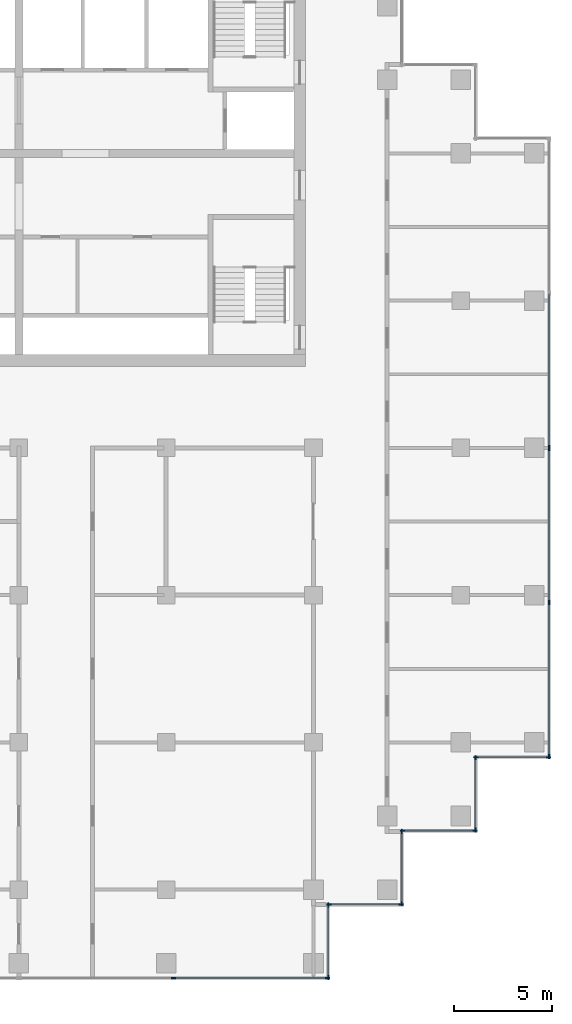
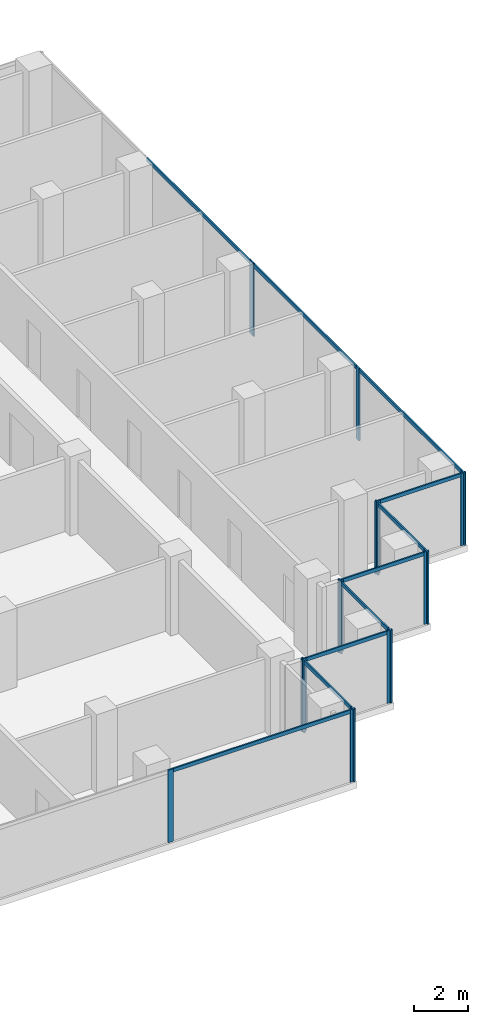
# One storey, part 4 of 12: 28 members, 9 elements without a shape of their own.
"""IFC4 building model written with IfcOpenShell, lengths in metres."""

from ifc_helpers import new_model, si_unit, direction, frame, origin, origin_2d, place, context, subcontext, project, spatial, rectangle, extrude, material, material_profile, profile_set, type_object, element, aggregate, save


model = new_model("IFC4")

# Units and contexts
model_context = context("Model", 3, precision=1e-05, world=origin(), true_north=direction((0.0, 1.0)))
body_context = subcontext(model_context, "Body", "Model", "MODEL_VIEW")
ifc_project = project(units=[si_unit("LENGTHUNIT", "METRE"), si_unit("AREAUNIT", "SQUARE_METRE"), si_unit("VOLUMEUNIT", "CUBIC_METRE"), si_unit("PLANEANGLEUNIT", "RADIAN"), si_unit("MASSUNIT", "GRAM", prefix="KILO")], contexts=[model_context])

# Site, building, storey
site_placement = place(None, origin())
site = spatial("IfcSite", under=ifc_project, at=site_placement, CompositionType="ELEMENT")
building_placement = place(site_placement, origin())
building = spatial("IfcBuilding", under=site, at=building_placement, Name="Pilkhan Gate Tower", CompositionType="ELEMENT")
storey_placement = place(building_placement, frame((0.0, 0.0, 188.699951171875)))
storey = spatial("IfcBuildingStorey", under=building, at=storey_placement, Name="L48", CompositionType="ELEMENT", Elevation=188.699951171875)

# Curtain wall, members
ifc_material_1 = material(Name="Pale anodised aluminium, clear low-iron double glazing", Category="aluminium")
curtain_wall_type = type_object("IfcCurtainWallType", Name="Office unitised curtain wall CW-O2", PredefinedType="USERDEFINED", material=ifc_material_1)
curtain_wall_1_placement = place(storey_placement, origin())
curtain_wall_1 = element("IfcCurtainWall", 1, at=curtain_wall_1_placement, inside=storey, type_object=curtain_wall_type, Name="Office unitised curtain wall CW-O2 L48 E", ObjectType="UNITISED CURTAIN WALL", PredefinedType="USERDEFINED")
ifc_material_2 = material(Name="Pale anodised aluminium", Category="aluminium")
ifc_material_profile_1 = material_profile(ifc_material_2, rectangle(XDim=0.06494140625, YDim=0.22509765625, at=origin_2d()), Name="Mullion 225x65")
ifc_profile_set_1 = profile_set([ifc_material_profile_1], Name="Pale anodised aluminium")
member_type_1 = type_object("IfcMemberType", Name="Mullion CW-O2 225x65", PredefinedType="MULLION", material=ifc_profile_set_1)
member_1_placement = place(storey_placement, frame((102.0, 51.782470703125, 0.0), z_axis=(0.0, 0.0, 1.0), x_axis=(-1.0, 0.0, 0.0)))
member_1 = element("IfcMember", 2, at=member_1_placement, type_object=member_type_1, Name="CW-O2 mullion 1", PredefinedType="MULLION", context=body_context, shape_type="SweptSolid", body=[
    extrude(rectangle(XDim=0.06494140625, YDim=0.22509765625, at=origin_2d()), origin(), (0.0, 0.0, 1.0), 3.300048828125),
])
member_2_placement = place(storey_placement, frame((102.0, 59.625, 0.0), z_axis=(0.0, 0.0, 1.0), x_axis=(-1.0, 0.0, 0.0)))
member_2 = element("IfcMember", 3, at=member_2_placement, type_object=member_type_1, Name="CW-O2 mullion 2", PredefinedType="MULLION", context=body_context, shape_type="SweptSolid", body=[
    extrude(rectangle(XDim=0.06494140625, YDim=0.22509765625, at=origin_2d()), origin(), (0.0, 0.0, 1.0), 3.300048828125),
])
member_3_placement = place(storey_placement, frame((102.0, 67.467529296875, 0.0), z_axis=(0.0, 0.0, 1.0), x_axis=(-1.0, 0.0, 0.0)))
member_3 = element("IfcMember", 4, at=member_3_placement, type_object=member_type_1, Name="CW-O2 mullion 3", PredefinedType="MULLION", context=body_context, shape_type="SweptSolid", body=[
    extrude(rectangle(XDim=0.06494140625, YDim=0.22509765625, at=origin_2d()), origin(), (0.0, 0.0, 1.0), 3.300048828125),
])

# Curtain wall, member
curtain_wall_2_placement = place(storey_placement, origin())
curtain_wall_2 = element("IfcCurtainWall", 5, at=curtain_wall_2_placement, inside=storey, type_object=curtain_wall_type, Name="Office unitised curtain wall CW-O2 L48 E", ObjectType="UNITISED CURTAIN WALL", PredefinedType="USERDEFINED")
member_4_placement = place(storey_placement, frame((102.0, 67.532470703125, 0.0), z_axis=(0.0, 0.0, 1.0), x_axis=(-1.0, 0.0, 0.0)))
member_4 = element("IfcMember", 6, at=member_4_placement, type_object=member_type_1, Name="CW-O2 mullion 1", PredefinedType="MULLION", context=body_context, shape_type="SweptSolid", body=[
    extrude(rectangle(XDim=0.06494140625, YDim=0.22509765625, at=origin_2d()), origin(), (0.0, 0.0, 1.0), 3.300048828125),
])

# Curtain wall, members
curtain_wall_3_placement = place(storey_placement, origin())
curtain_wall_3 = element("IfcCurtainWall", 7, at=curtain_wall_3_placement, inside=storey, type_object=curtain_wall_type, Name="Office unitised curtain wall CW-O2 L48 S", ObjectType="UNITISED CURTAIN WALL", PredefinedType="USERDEFINED")
member_5_placement = place(storey_placement, frame((82.875, 40.5, 0.0), z_axis=(0.0, 0.0, 1.0), x_axis=(0.0, 1.0, 0.0)))
member_5 = element("IfcMember", 8, at=member_5_placement, type_object=member_type_1, Name="CW-O2 mullion 2", PredefinedType="MULLION", context=body_context, shape_type="SweptSolid", body=[
    extrude(rectangle(XDim=0.06494140625, YDim=0.22509765625, at=origin_2d()), origin(), (0.0, 0.0, 1.0), 3.300048828125),
])
member_6_placement = place(storey_placement, frame((90.717529296875, 40.5, 0.0), z_axis=(0.0, 0.0, 1.0), x_axis=(0.0, 1.0, 0.0)))
member_6 = element("IfcMember", 9, at=member_6_placement, type_object=member_type_1, Name="CW-O2 mullion 3", PredefinedType="MULLION", context=body_context, shape_type="SweptSolid", body=[
    extrude(rectangle(XDim=0.06494140625, YDim=0.22509765625, at=origin_2d()), origin(), (0.0, 0.0, 1.0), 3.300048828125),
])

curtain_wall_4_placement = place(storey_placement, origin())
curtain_wall_4 = element("IfcCurtainWall", 10, at=curtain_wall_4_placement, inside=storey, type_object=curtain_wall_type, Name="Office unitised curtain wall CW-O2 L48 E", ObjectType="UNITISED CURTAIN WALL", PredefinedType="USERDEFINED")
member_7_placement = place(storey_placement, frame((90.75, 40.532470703125, 0.0), z_axis=(0.0, 0.0, 1.0), x_axis=(-1.0, 0.0, 0.0)))
member_7 = element("IfcMember", 11, at=member_7_placement, type_object=member_type_1, Name="CW-O2 mullion 1", PredefinedType="MULLION", context=body_context, shape_type="SweptSolid", body=[
    extrude(rectangle(XDim=0.06494140625, YDim=0.22509765625, at=origin_2d()), origin(), (0.0, 0.0, 1.0), 3.300048828125),
])
member_8_placement = place(storey_placement, frame((90.75, 44.217529296875, 0.0), z_axis=(0.0, 0.0, 1.0), x_axis=(-1.0, 0.0, 0.0)))
member_8 = element("IfcMember", 12, at=member_8_placement, type_object=member_type_1, Name="CW-O2 mullion 2", PredefinedType="MULLION", context=body_context, shape_type="SweptSolid", body=[
    extrude(rectangle(XDim=0.06494140625, YDim=0.22509765625, at=origin_2d()), origin(), (0.0, 0.0, 1.0), 3.300048828125),
])

curtain_wall_5_placement = place(storey_placement, origin())
curtain_wall_5 = element("IfcCurtainWall", 13, at=curtain_wall_5_placement, inside=storey, type_object=curtain_wall_type, Name="Office unitised curtain wall CW-O2 L48 S", ObjectType="UNITISED CURTAIN WALL", PredefinedType="USERDEFINED")
member_9_placement = place(storey_placement, frame((90.782470703125, 44.25, 0.0), z_axis=(0.0, 0.0, 1.0), x_axis=(0.0, 1.0, 0.0)))
member_9 = element("IfcMember", 14, at=member_9_placement, type_object=member_type_1, Name="CW-O2 mullion 1", PredefinedType="MULLION", context=body_context, shape_type="SweptSolid", body=[
    extrude(rectangle(XDim=0.06494140625, YDim=0.22509765625, at=origin_2d()), origin(), (0.0, 0.0, 1.0), 3.300048828125),
])
member_10_placement = place(storey_placement, frame((94.467529296875, 44.25, 0.0), z_axis=(0.0, 0.0, 1.0), x_axis=(0.0, 1.0, 0.0)))
member_10 = element("IfcMember", 15, at=member_10_placement, type_object=member_type_1, Name="CW-O2 mullion 2", PredefinedType="MULLION", context=body_context, shape_type="SweptSolid", body=[
    extrude(rectangle(XDim=0.06494140625, YDim=0.22509765625, at=origin_2d()), origin(), (0.0, 0.0, 1.0), 3.300048828125),
])

curtain_wall_6_placement = place(storey_placement, origin())
curtain_wall_6 = element("IfcCurtainWall", 16, at=curtain_wall_6_placement, inside=storey, type_object=curtain_wall_type, Name="Office unitised curtain wall CW-O2 L48 E", ObjectType="UNITISED CURTAIN WALL", PredefinedType="USERDEFINED")
member_11_placement = place(storey_placement, frame((94.5, 44.282470703125, 0.0), z_axis=(0.0, 0.0, 1.0), x_axis=(-1.0, 0.0, 0.0)))
member_11 = element("IfcMember", 17, at=member_11_placement, type_object=member_type_1, Name="CW-O2 mullion 1", PredefinedType="MULLION", context=body_context, shape_type="SweptSolid", body=[
    extrude(rectangle(XDim=0.06494140625, YDim=0.22509765625, at=origin_2d()), origin(), (0.0, 0.0, 1.0), 3.300048828125),
])
member_12_placement = place(storey_placement, frame((94.5, 47.967529296875, 0.0), z_axis=(0.0, 0.0, 1.0), x_axis=(-1.0, 0.0, 0.0)))
member_12 = element("IfcMember", 18, at=member_12_placement, type_object=member_type_1, Name="CW-O2 mullion 2", PredefinedType="MULLION", context=body_context, shape_type="SweptSolid", body=[
    extrude(rectangle(XDim=0.06494140625, YDim=0.22509765625, at=origin_2d()), origin(), (0.0, 0.0, 1.0), 3.300048828125),
])

curtain_wall_7_placement = place(storey_placement, origin())
curtain_wall_7 = element("IfcCurtainWall", 19, at=curtain_wall_7_placement, inside=storey, type_object=curtain_wall_type, Name="Office unitised curtain wall CW-O2 L48 S", ObjectType="UNITISED CURTAIN WALL", PredefinedType="USERDEFINED")
member_13_placement = place(storey_placement, frame((94.532470703125, 48.0, 0.0), z_axis=(0.0, 0.0, 1.0), x_axis=(0.0, 1.0, 0.0)))
member_13 = element("IfcMember", 20, at=member_13_placement, type_object=member_type_1, Name="CW-O2 mullion 1", PredefinedType="MULLION", context=body_context, shape_type="SweptSolid", body=[
    extrude(rectangle(XDim=0.06494140625, YDim=0.22509765625, at=origin_2d()), origin(), (0.0, 0.0, 1.0), 3.300048828125),
])
member_14_placement = place(storey_placement, frame((98.217529296875, 48.0, 0.0), z_axis=(0.0, 0.0, 1.0), x_axis=(0.0, 1.0, 0.0)))
member_14 = element("IfcMember", 21, at=member_14_placement, type_object=member_type_1, Name="CW-O2 mullion 2", PredefinedType="MULLION", context=body_context, shape_type="SweptSolid", body=[
    extrude(rectangle(XDim=0.06494140625, YDim=0.22509765625, at=origin_2d()), origin(), (0.0, 0.0, 1.0), 3.300048828125),
])

curtain_wall_8_placement = place(storey_placement, origin())
curtain_wall_8 = element("IfcCurtainWall", 22, at=curtain_wall_8_placement, inside=storey, type_object=curtain_wall_type, Name="Office unitised curtain wall CW-O2 L48 E", ObjectType="UNITISED CURTAIN WALL", PredefinedType="USERDEFINED")
member_15_placement = place(storey_placement, frame((98.25, 48.032470703125, 0.0), z_axis=(0.0, 0.0, 1.0), x_axis=(-1.0, 0.0, 0.0)))
member_15 = element("IfcMember", 23, at=member_15_placement, type_object=member_type_1, Name="CW-O2 mullion 1", PredefinedType="MULLION", context=body_context, shape_type="SweptSolid", body=[
    extrude(rectangle(XDim=0.06494140625, YDim=0.22509765625, at=origin_2d()), origin(), (0.0, 0.0, 1.0), 3.300048828125),
])
member_16_placement = place(storey_placement, frame((98.25, 51.717529296875, 0.0), z_axis=(0.0, 0.0, 1.0), x_axis=(-1.0, 0.0, 0.0)))
member_16 = element("IfcMember", 24, at=member_16_placement, type_object=member_type_1, Name="CW-O2 mullion 2", PredefinedType="MULLION", context=body_context, shape_type="SweptSolid", body=[
    extrude(rectangle(XDim=0.06494140625, YDim=0.22509765625, at=origin_2d()), origin(), (0.0, 0.0, 1.0), 3.300048828125),
])

curtain_wall_9_placement = place(storey_placement, origin())
curtain_wall_9 = element("IfcCurtainWall", 25, at=curtain_wall_9_placement, inside=storey, type_object=curtain_wall_type, Name="Office unitised curtain wall CW-O2 L48 S", ObjectType="UNITISED CURTAIN WALL", PredefinedType="USERDEFINED")
member_17_placement = place(storey_placement, frame((98.282470703125, 51.75, 0.0), z_axis=(0.0, 0.0, 1.0), x_axis=(0.0, 1.0, 0.0)))
member_17 = element("IfcMember", 26, at=member_17_placement, type_object=member_type_1, Name="CW-O2 mullion 1", PredefinedType="MULLION", context=body_context, shape_type="SweptSolid", body=[
    extrude(rectangle(XDim=0.06494140625, YDim=0.22509765625, at=origin_2d()), origin(), (0.0, 0.0, 1.0), 3.300048828125),
])
member_18_placement = place(storey_placement, frame((101.967529296875, 51.75, 0.0), z_axis=(0.0, 0.0, 1.0), x_axis=(0.0, 1.0, 0.0)))
member_18 = element("IfcMember", 27, at=member_18_placement, type_object=member_type_1, Name="CW-O2 mullion 2", PredefinedType="MULLION", context=body_context, shape_type="SweptSolid", body=[
    extrude(rectangle(XDim=0.06494140625, YDim=0.22509765625, at=origin_2d()), origin(), (0.0, 0.0, 1.0), 3.300048828125),
])

# Member
ifc_material_profile_2 = material_profile(ifc_material_2, rectangle(XDim=0.06494140625, YDim=0.1650390625, at=origin_2d()), Name="Transom 165x65")
ifc_profile_set_2 = profile_set([ifc_material_profile_2], Name="Pale anodised aluminium")
member_type_2 = type_object("IfcMemberType", Name="Transom CW-O2 165x65", PredefinedType="USERDEFINED", material=ifc_profile_set_2)
member_19_placement = place(storey_placement, frame((102.0, 51.81494140625, 3.217529296875), z_axis=(0.0, 1.0, 0.0), x_axis=(-1.0, 0.0, 0.0)))
member_19 = element("IfcMember", 28, at=member_19_placement, type_object=member_type_2, Name="CW-O2 transom 1", ObjectType="TRANSOM", PredefinedType="USERDEFINED", context=body_context, shape_type="SweptSolid", body=[
    extrude(rectangle(XDim=0.06494140625, YDim=0.1650390625, at=origin_2d()), origin(), (0.0, 0.0, 1.0), 7.777587890625),
])

member_20_placement = place(storey_placement, frame((102.0, 59.657470703125, 3.217529296875), z_axis=(0.0, 1.0, 0.0), x_axis=(-1.0, 0.0, 0.0)))
member_20 = element("IfcMember", 29, at=member_20_placement, type_object=member_type_2, Name="CW-O2 transom 2", ObjectType="TRANSOM", PredefinedType="USERDEFINED", context=body_context, shape_type="SweptSolid", body=[
    extrude(rectangle(XDim=0.06494140625, YDim=0.1650390625, at=origin_2d()), origin(), (0.0, 0.0, 1.0), 7.777587890625),
])

aggregate(curtain_wall_1, [member_1, member_2, member_3, member_19, member_20])

member_21_placement = place(storey_placement, frame((102.0, 67.56494140625, 3.217529296875), z_axis=(0.0, 1.0, 0.0), x_axis=(-1.0, 0.0, 0.0)))
member_21 = element("IfcMember", 30, at=member_21_placement, type_object=member_type_2, Name="CW-O2 transom 1", ObjectType="TRANSOM", PredefinedType="USERDEFINED", context=body_context, shape_type="SweptSolid", body=[
    extrude(rectangle(XDim=0.06494140625, YDim=0.1650390625, at=origin_2d()), origin(), (0.0, 0.0, 1.0), 7.777587890625),
])

aggregate(curtain_wall_2, [member_4, member_21])

member_22_placement = place(storey_placement, frame((82.907470703125, 40.5, 3.217529296875), z_axis=(1.0, 0.0, 0.0), x_axis=(0.0, 1.0, 0.0)))
member_22 = element("IfcMember", 31, at=member_22_placement, type_object=member_type_2, Name="CW-O2 transom 2", ObjectType="TRANSOM", PredefinedType="USERDEFINED", context=body_context, shape_type="SweptSolid", body=[
    extrude(rectangle(XDim=0.06494140625, YDim=0.1650390625, at=origin_2d()), origin(), (0.0, 0.0, 1.0), 7.777587890625),
])

aggregate(curtain_wall_3, [member_5, member_6, member_22])

member_23_placement = place(storey_placement, frame((90.75, 40.56494140625, 3.217529296875), z_axis=(0.0, 1.0, 0.0), x_axis=(-1.0, 0.0, 0.0)))
member_23 = element("IfcMember", 32, at=member_23_placement, type_object=member_type_2, Name="CW-O2 transom 1", ObjectType="TRANSOM", PredefinedType="USERDEFINED", context=body_context, shape_type="SweptSolid", body=[
    extrude(rectangle(XDim=0.06494140625, YDim=0.1650390625, at=origin_2d()), origin(), (0.0, 0.0, 1.0), 3.6201171875),
])

aggregate(curtain_wall_4, [member_7, member_8, member_23])

member_24_placement = place(storey_placement, frame((90.81494140625, 44.25, 3.217529296875), z_axis=(1.0, 0.0, 0.0), x_axis=(0.0, 1.0, 0.0)))
member_24 = element("IfcMember", 33, at=member_24_placement, type_object=member_type_2, Name="CW-O2 transom 1", ObjectType="TRANSOM", PredefinedType="USERDEFINED", context=body_context, shape_type="SweptSolid", body=[
    extrude(rectangle(XDim=0.06494140625, YDim=0.1650390625, at=origin_2d()), origin(), (0.0, 0.0, 1.0), 3.6201171875),
])

aggregate(curtain_wall_5, [member_9, member_10, member_24])

member_25_placement = place(storey_placement, frame((94.5, 44.31494140625, 3.217529296875), z_axis=(0.0, 1.0, 0.0), x_axis=(-1.0, 0.0, 0.0)))
member_25 = element("IfcMember", 34, at=member_25_placement, type_object=member_type_2, Name="CW-O2 transom 1", ObjectType="TRANSOM", PredefinedType="USERDEFINED", context=body_context, shape_type="SweptSolid", body=[
    extrude(rectangle(XDim=0.06494140625, YDim=0.1650390625, at=origin_2d()), origin(), (0.0, 0.0, 1.0), 3.6201171875),
])

aggregate(curtain_wall_6, [member_11, member_12, member_25])

member_26_placement = place(storey_placement, frame((94.56494140625, 48.0, 3.217529296875), z_axis=(1.0, 0.0, 0.0), x_axis=(0.0, 1.0, 0.0)))
member_26 = element("IfcMember", 35, at=member_26_placement, type_object=member_type_2, Name="CW-O2 transom 1", ObjectType="TRANSOM", PredefinedType="USERDEFINED", context=body_context, shape_type="SweptSolid", body=[
    extrude(rectangle(XDim=0.06494140625, YDim=0.1650390625, at=origin_2d()), origin(), (0.0, 0.0, 1.0), 3.6201171875),
])

aggregate(curtain_wall_7, [member_13, member_14, member_26])

member_27_placement = place(storey_placement, frame((98.25, 48.06494140625, 3.217529296875), z_axis=(0.0, 1.0, 0.0), x_axis=(-1.0, 0.0, 0.0)))
member_27 = element("IfcMember", 36, at=member_27_placement, type_object=member_type_2, Name="CW-O2 transom 1", ObjectType="TRANSOM", PredefinedType="USERDEFINED", context=body_context, shape_type="SweptSolid", body=[
    extrude(rectangle(XDim=0.06494140625, YDim=0.1650390625, at=origin_2d()), origin(), (0.0, 0.0, 1.0), 3.6201171875),
])

aggregate(curtain_wall_8, [member_15, member_16, member_27])

member_28_placement = place(storey_placement, frame((98.31494140625, 51.75, 3.217529296875), z_axis=(1.0, 0.0, 0.0), x_axis=(0.0, 1.0, 0.0)))
member_28 = element("IfcMember", 37, at=member_28_placement, type_object=member_type_2, Name="CW-O2 transom 1", ObjectType="TRANSOM", PredefinedType="USERDEFINED", context=body_context, shape_type="SweptSolid", body=[
    extrude(rectangle(XDim=0.06494140625, YDim=0.1650390625, at=origin_2d()), origin(), (0.0, 0.0, 1.0), 3.6201171875),
])

aggregate(curtain_wall_9, [member_17, member_18, member_28])

save(model, "model.ifc")
